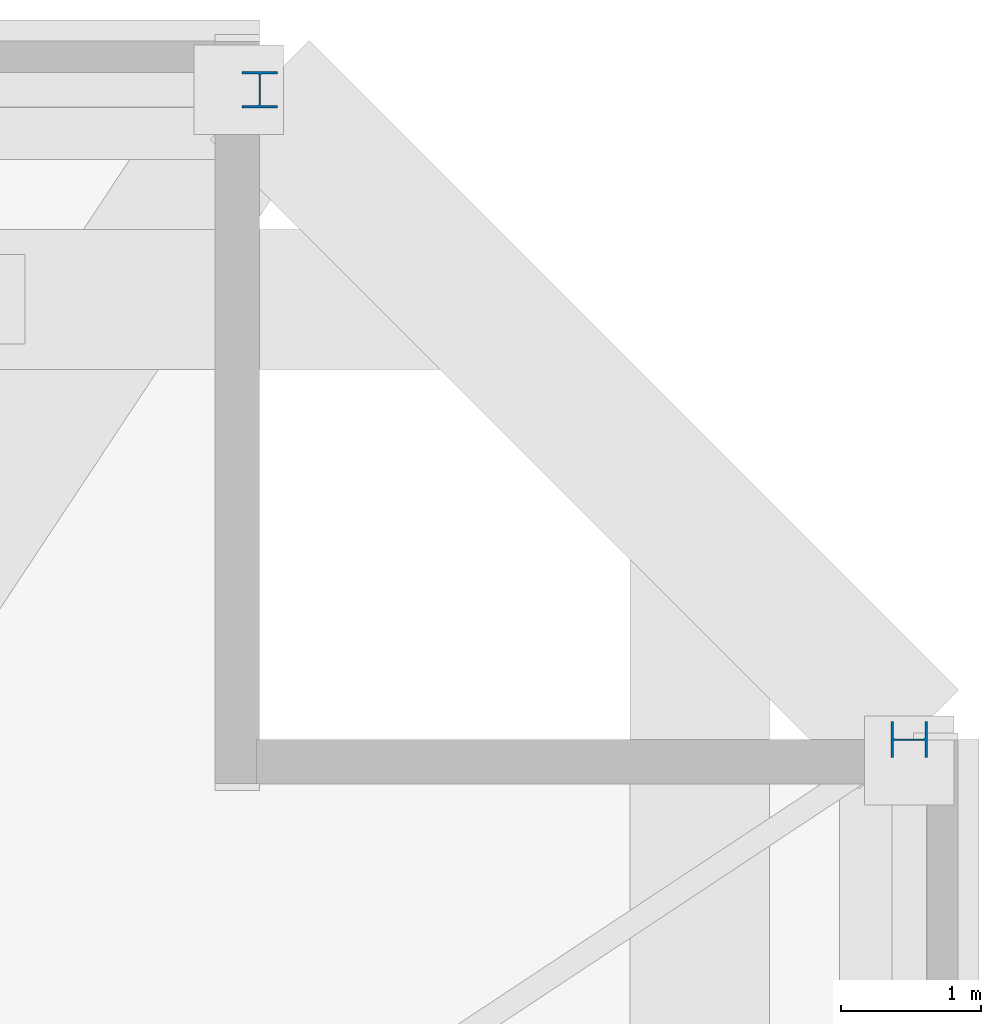
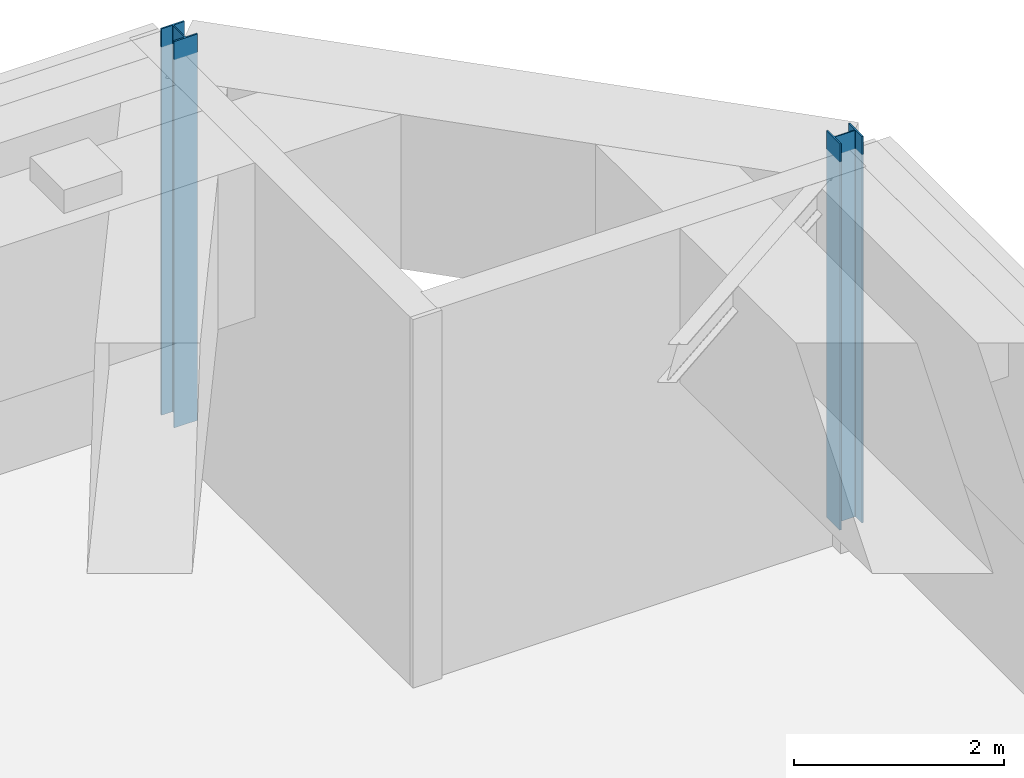
# One storey, part 5 of 17: 2 columns.
"""IFC4 building model written with IfcOpenShell, lengths in metres."""

from ifc_helpers import new_model, si_unit, direction, frame, origin, origin_2d, place, context, subcontext, project, spatial, i_section, extrude, material, material_profile, profile_set, type_object, element, save


model = new_model("IFC4")

# Units and contexts
model_context = context("Model", 3, precision=1e-05, world=origin(), true_north=direction((0.0, 1.0)))
body_context = subcontext(model_context, "Body", "Model", "MODEL_VIEW")
ifc_project = project(units=[si_unit("LENGTHUNIT", "METRE"), si_unit("AREAUNIT", "SQUARE_METRE"), si_unit("VOLUMEUNIT", "CUBIC_METRE"), si_unit("PLANEANGLEUNIT", "RADIAN"), si_unit("MASSUNIT", "GRAM", prefix="KILO")], contexts=[model_context])

# Site, building, storey
site_placement = place(None, origin())
site = spatial("IfcSite", under=ifc_project, at=site_placement, CompositionType="ELEMENT")
building_placement = place(site_placement, origin())
building = spatial("IfcBuilding", under=site, at=building_placement, Name="Cairnveth Concourse Tower", CompositionType="ELEMENT")
storey_placement = place(building_placement, frame((0.0, 0.0, 276.0)))
storey = spatial("IfcBuildingStorey", under=building, at=storey_placement, Name="L76", CompositionType="ELEMENT", Elevation=276.0)

# Columns
ifc_material = material(Name="Steel Grade 350", Category="steel")
ifc_material_profile = material_profile(ifc_material, i_section(OverallWidth=0.256103515625, OverallDepth=0.260009765625, WebThickness=0.010498046875, FlangeThickness=0.017333984375, FilletRadius=0.012939453125, at=origin_2d()), Name="250UC89.5")
ifc_profile_set = profile_set([ifc_material_profile], Name="Steel Grade 350")
column_type = type_object("IfcColumnType", Name="UNIVERSAL STEEL COLUMN 250UC89.5", PredefinedType="COLUMN", material=ifc_profile_set)
for number, where, z_axis, x_axis, name in (
    (1, (74.14990234375, 56.5, 0.0), (0.0, 0.0, 1.0), (0.0, 1.0, 0.0), "Column P-E4 L76"),
    (2, (69.5, 61.14990234375, 0.0), (0.0, 0.0, 1.0), (1.0, 0.0, 0.0), "Column P-N1 L76"),
):
    element("IfcColumn", number, at=place(storey_placement, frame(where, z_axis=z_axis, x_axis=x_axis)), inside=storey, type_object=column_type, Name=name, PredefinedType="COLUMN", context=body_context, shape_type="SweptSolid", body=[
        extrude(i_section(OverallWidth=0.256103515625, OverallDepth=0.260009765625, WebThickness=0.010498046875, FlangeThickness=0.017333984375, FilletRadius=0.012939453125, at=origin_2d()), origin(), (0.0, 0.0, 1.0), 4.5),
    ])

save(model, "model.ifc")
